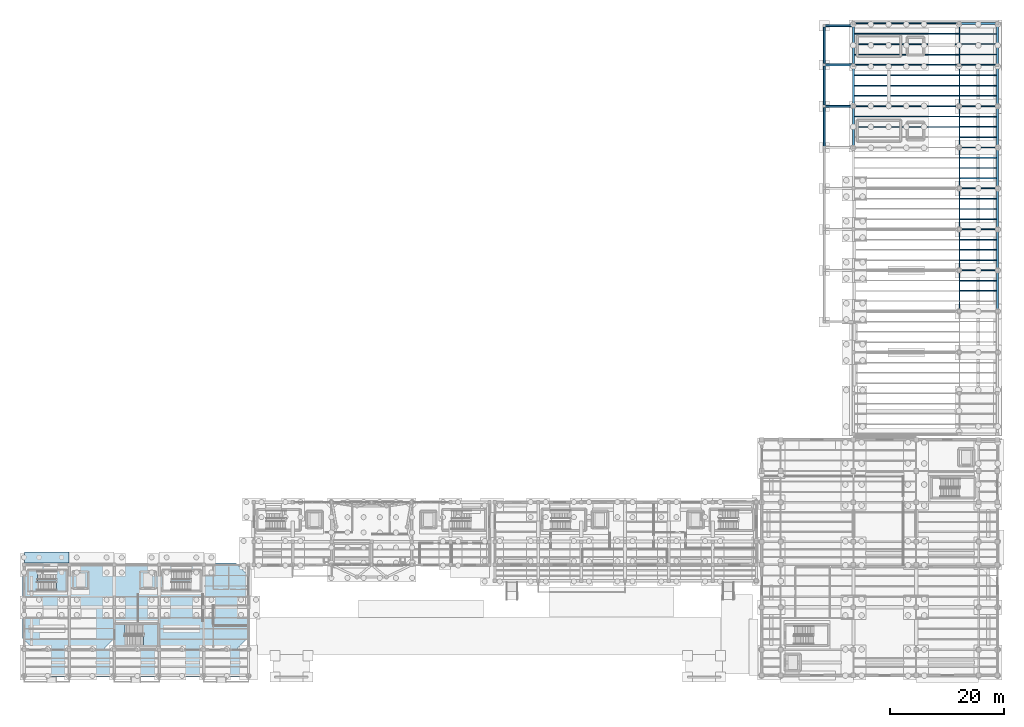
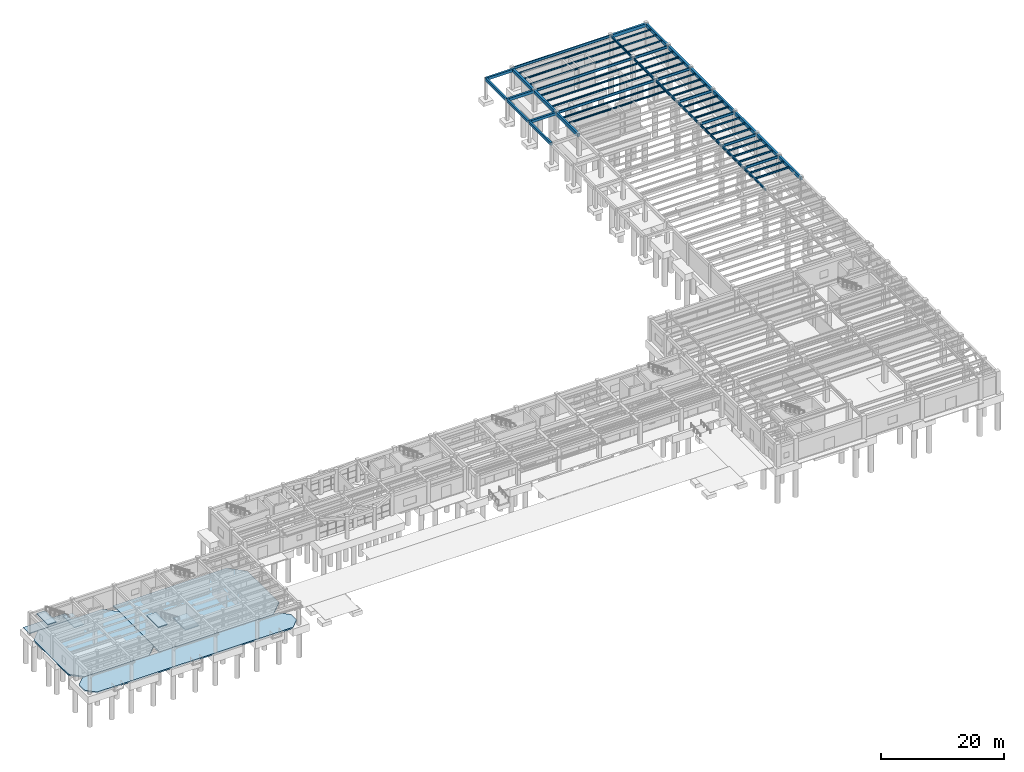
# One storey, part 17 of 41: 61 beams, 8 slabs, 2 elements without a shape of their own.
"""IFC4 building model written with IfcOpenShell, lengths in metres."""

from ifc_helpers import new_model, si_unit, direction, frame, origin, origin_2d, place, context, subcontext, project, spatial, polyline, rectangle, i_section, outline, extrude, material, layer, layer_set, material_profile, profile_set, type_object, element, aggregate, save


model = new_model("IFC4")

# Units and contexts
model_context = context("Model", 3, precision=1e-05, world=origin(), true_north=direction((0.0, 1.0)))
body_context = subcontext(model_context, "Body", "Model", "MODEL_VIEW")
ifc_project = project(units=[si_unit("LENGTHUNIT", "METRE"), si_unit("AREAUNIT", "SQUARE_METRE"), si_unit("VOLUMEUNIT", "CUBIC_METRE"), si_unit("PLANEANGLEUNIT", "RADIAN"), si_unit("MASSUNIT", "GRAM", prefix="KILO")], contexts=[model_context])

# Site, building, storey
site_placement = place(None, origin())
site = spatial("IfcSite", under=ifc_project, at=site_placement, CompositionType="ELEMENT")
building_placement = place(site_placement, origin())
building = spatial("IfcBuilding", under=site, at=building_placement, Name="Candilejo Ridge Gondola Terminal", CompositionType="ELEMENT")
storey_placement = place(building_placement, origin())
storey = spatial("IfcBuildingStorey", under=building, at=storey_placement, Name="L00", CompositionType="ELEMENT", Elevation=0.0)

# Beams
ifc_material_1 = material(Name="Concrete f'c 35 MPa (C35/45)", Category="concrete")
ifc_material_profile_1 = material_profile(ifc_material_1, rectangle(XDim=0.35009765625, YDim=0.550048828125, at=origin_2d()))
ifc_profile_set_1 = profile_set([ifc_material_profile_1], Name="Concrete f'c 35 MPa (C35/45)")
beam_type_1 = type_object("IfcBeamType", Name="STR-BM-RC350X550", PredefinedType="BEAM", material=ifc_profile_set_1)
for number, where, z_axis, x_axis, name in (
    (1, (144.85009765625, 106.300048828125, 3.965087890625), (1.0, 0.0, 0.0), (0.0, 1.0, 0.0), "Bench ledge transverse beam 06"),
    (2, (144.85009765625, 113.550048828125, 3.965087890625), (1.0, 0.0, 0.0), (0.0, 1.0, 0.0), "Bench ledge transverse beam 07"),
    (3, (144.85009765625, 120.449951171875, 3.965087890625), (1.0, 0.0, 0.0), (0.0, 1.0, 0.0), "Bench ledge transverse beam 08"),
):
    element("IfcBeam", number, at=place(storey_placement, frame(where, z_axis=z_axis, x_axis=x_axis)), inside=storey, type_object=beam_type_1, Name=name, PredefinedType="BEAM", context=body_context, shape_type="SweptSolid", body=[
        extrude(rectangle(XDim=0.35009765625, YDim=0.550048828125, at=origin_2d()), origin(), (0.0, 0.0, 1.0), 5.14990234375),
    ])
for number, where, z_axis, x_axis, name in (
    (4, (144.85009765625, 99.050048828125, 3.965087890625), (0.0, 1.0, 0.0), (-1.0, 0.0, 0.0), "Bench ledge perimeter beam 05"),
    (5, (144.85009765625, 106.300048828125, 3.965087890625), (0.0, 1.0, 0.0), (-1.0, 0.0, 0.0), "Bench ledge perimeter beam 06"),
):
    element("IfcBeam", number, at=place(storey_placement, frame(where, z_axis=z_axis, x_axis=x_axis)), inside=storey, type_object=beam_type_1, Name=name, PredefinedType="BEAM", context=body_context, shape_type="SweptSolid", body=[
        extrude(rectangle(XDim=0.35009765625, YDim=0.550048828125, at=origin_2d()), origin(), (0.0, 0.0, 1.0), 7.25),
    ])
beam_1_placement = place(storey_placement, frame((144.85009765625, 113.550048828125, 3.965087890625), z_axis=(0.0, 1.0, 0.0), x_axis=(-1.0, 0.0, 0.0)))
element("IfcBeam", 6, at=beam_1_placement, inside=storey, type_object=beam_type_1, Name="Bench ledge perimeter beam 07", PredefinedType="BEAM", context=body_context, shape_type="SweptSolid", body=[
    extrude(rectangle(XDim=0.35009765625, YDim=0.550048828125, at=origin_2d()), origin(), (0.0, 0.0, 1.0), 6.89990234375),
])
ifc_material_2 = material(Name="Steel ASTM A992 Grade 50", Category="steel")
ifc_material_profile_2 = material_profile(ifc_material_2, i_section(OverallWidth=0.194091796875, OverallDepth=0.468994140625, WebThickness=0.0126953125, FlangeThickness=0.0205078125, at=origin_2d()))
ifc_profile_set_2 = profile_set([ifc_material_profile_2], Name="Steel ASTM A992 Grade 50")
beam_type_2 = type_object("IfcBeamType", Name="STR-BM-W460X106", PredefinedType="BEAM", material=ifc_profile_set_2)
for number, where, z_axis, x_axis, name in (
    (7, (168.60009765625, 70.25, 3.99560546875), (0.0, 1.0, 0.0), (-1.0, 0.0, 0.0), "Beam Y V5 L00 Y13-Y14@X25"),
    (8, (168.60009765625, 77.449951171875, 3.99560546875), (0.0, 1.0, 0.0), (-1.0, 0.0, 0.0), "Beam Y V5 L00 Y14-Y15@X25"),
):
    element("IfcBeam", number, at=place(storey_placement, frame(where, z_axis=z_axis, x_axis=x_axis)), inside=storey, type_object=beam_type_2, Name=name, PredefinedType="BEAM", context=body_context, shape_type="SweptSolid", body=[
        extrude(i_section(OverallWidth=0.194091796875, OverallDepth=0.468994140625, WebThickness=0.0126953125, FlangeThickness=0.0205078125, at=origin_2d()), origin(), (0.0, 0.0, 1.0), 7.199951171875),
    ])
beam_2_placement = place(storey_placement, frame((168.60009765625, 84.64990234375, 3.99560546875), z_axis=(0.0, 1.0, 0.0), x_axis=(-1.0, 0.0, 0.0)))
element("IfcBeam", 9, at=beam_2_placement, inside=storey, type_object=beam_type_2, Name="Beam Y V5 L00 Y15-Y16@X25", PredefinedType="BEAM", context=body_context, shape_type="SweptSolid", body=[
    extrude(i_section(OverallWidth=0.194091796875, OverallDepth=0.468994140625, WebThickness=0.0126953125, FlangeThickness=0.0205078125, at=origin_2d()), origin(), (0.0, 0.0, 1.0), 7.2001953125),
])
beam_3_placement = place(storey_placement, frame((168.60009765625, 91.85009765625, 3.99560546875), z_axis=(0.0, 1.0, 0.0), x_axis=(-1.0, 0.0, 0.0)))
element("IfcBeam", 10, at=beam_3_placement, inside=storey, type_object=beam_type_2, Name="Beam Y V5 L00 Y16-Y17@X25", PredefinedType="BEAM", context=body_context, shape_type="SweptSolid", body=[
    extrude(i_section(OverallWidth=0.194091796875, OverallDepth=0.468994140625, WebThickness=0.0126953125, FlangeThickness=0.0205078125, at=origin_2d()), origin(), (0.0, 0.0, 1.0), 7.199951171875),
])
for number, where, z_axis, x_axis, name in (
    (11, (168.60009765625, 99.050048828125, 3.99560546875), (0.0, 1.0, 0.0), (-1.0, 0.0, 0.0), "Beam Y V5 L00 Y17-Y18@X25"),
    (12, (168.60009765625, 106.300048828125, 3.99560546875), (0.0, 1.0, 0.0), (-1.0, 0.0, 0.0), "Beam Y V5 L00 Y18-Y19@X25"),
):
    element("IfcBeam", number, at=place(storey_placement, frame(where, z_axis=z_axis, x_axis=x_axis)), inside=storey, type_object=beam_type_2, Name=name, PredefinedType="BEAM", context=body_context, shape_type="SweptSolid", body=[
        extrude(i_section(OverallWidth=0.194091796875, OverallDepth=0.468994140625, WebThickness=0.0126953125, FlangeThickness=0.0205078125, at=origin_2d()), origin(), (0.0, 0.0, 1.0), 7.25),
    ])
beam_4_placement = place(storey_placement, frame((168.60009765625, 113.550048828125, 3.99560546875), z_axis=(0.0, 1.0, 0.0), x_axis=(-1.0, 0.0, 0.0)))
element("IfcBeam", 13, at=beam_4_placement, inside=storey, type_object=beam_type_2, Name="Beam Y V5 L00 Y19-Y20@X25", PredefinedType="BEAM", context=body_context, shape_type="SweptSolid", body=[
    extrude(i_section(OverallWidth=0.194091796875, OverallDepth=0.468994140625, WebThickness=0.0126953125, FlangeThickness=0.0205078125, at=origin_2d()), origin(), (0.0, 0.0, 1.0), 7.300048828125),
])
ifc_material_3 = material(Name="Steel ASTM A992 Grade 50", Category="steel")
ifc_material_profile_3 = material_profile(ifc_material_3, i_section(OverallWidth=0.166015625, OverallDepth=0.529052734375, WebThickness=0.009765625, FlangeThickness=0.013671875, at=origin_2d()))
ifc_profile_set_3 = profile_set([ifc_material_profile_3], Name="Steel ASTM A992 Grade 50")
beam_type_3 = type_object("IfcBeamType", Name="STR-BM-W530X74", PredefinedType="BEAM", material=ifc_profile_set_3)
for number, where, z_axis, x_axis, name in (
    (14, (168.60009765625, 77.449951171875, 3.965576171875), (1.0, 0.0, 0.0), (0.0, 1.0, 0.0), "Beam X V5 L00 X25-X27@Y14"),
    (15, (168.60009765625, 84.64990234375, 3.965576171875), (1.0, 0.0, 0.0), (0.0, 1.0, 0.0), "Beam X V5 L00 X25-X27@Y15"),
    (16, (168.60009765625, 91.85009765625, 3.965576171875), (1.0, 0.0, 0.0), (0.0, 1.0, 0.0), "Beam X V5 L00 X25-X27@Y16"),
    (17, (168.60009765625, 99.050048828125, 3.965576171875), (1.0, 0.0, 0.0), (0.0, 1.0, 0.0), "Beam X V5 L00 X25-X27@Y17"),
):
    element("IfcBeam", number, at=place(storey_placement, frame(where, z_axis=z_axis, x_axis=x_axis)), inside=storey, type_object=beam_type_3, Name=name, PredefinedType="BEAM", context=body_context, shape_type="SweptSolid", body=[
        extrude(i_section(OverallWidth=0.166015625, OverallDepth=0.529052734375, WebThickness=0.009765625, FlangeThickness=0.013671875, at=origin_2d()), origin(), (0.0, 0.0, 1.0), 6.699951171875),
    ])
beam_5_placement = place(storey_placement, frame((150.0, 106.300048828125, 3.965576171875), z_axis=(1.0, 0.0, 0.0), x_axis=(0.0, 1.0, 0.0)))
element("IfcBeam", 18, at=beam_5_placement, inside=storey, type_object=beam_type_3, Name="Beam X V5 L00 X23-X25@Y18", PredefinedType="BEAM", context=body_context, shape_type="SweptSolid", body=[
    extrude(i_section(OverallWidth=0.166015625, OverallDepth=0.529052734375, WebThickness=0.009765625, FlangeThickness=0.013671875, at=origin_2d()), origin(), (0.0, 0.0, 1.0), 18.60009765625),
])
beam_6_placement = place(storey_placement, frame((168.60009765625, 106.300048828125, 3.965576171875), z_axis=(1.0, 0.0, 0.0), x_axis=(0.0, 1.0, 0.0)))
element("IfcBeam", 19, at=beam_6_placement, inside=storey, type_object=beam_type_3, Name="Beam X V5 L00 X25-X27@Y18", PredefinedType="BEAM", context=body_context, shape_type="SweptSolid", body=[
    extrude(i_section(OverallWidth=0.166015625, OverallDepth=0.529052734375, WebThickness=0.009765625, FlangeThickness=0.013671875, at=origin_2d()), origin(), (0.0, 0.0, 1.0), 6.699951171875),
])
beam_7_placement = place(storey_placement, frame((150.0, 113.550048828125, 3.965576171875), z_axis=(1.0, 0.0, 0.0), x_axis=(0.0, 1.0, 0.0)))
element("IfcBeam", 20, at=beam_7_placement, inside=storey, type_object=beam_type_3, Name="Beam X V5 L00 X23-X25@Y19", PredefinedType="BEAM", context=body_context, shape_type="SweptSolid", body=[
    extrude(i_section(OverallWidth=0.166015625, OverallDepth=0.529052734375, WebThickness=0.009765625, FlangeThickness=0.013671875, at=origin_2d()), origin(), (0.0, 0.0, 1.0), 18.60009765625),
])
beam_8_placement = place(storey_placement, frame((168.60009765625, 113.550048828125, 3.965576171875), z_axis=(1.0, 0.0, 0.0), x_axis=(0.0, 1.0, 0.0)))
element("IfcBeam", 21, at=beam_8_placement, inside=storey, type_object=beam_type_3, Name="Beam X V5 L00 X25-X27@Y19", PredefinedType="BEAM", context=body_context, shape_type="SweptSolid", body=[
    extrude(i_section(OverallWidth=0.166015625, OverallDepth=0.529052734375, WebThickness=0.009765625, FlangeThickness=0.013671875, at=origin_2d()), origin(), (0.0, 0.0, 1.0), 6.699951171875),
])
beam_9_placement = place(storey_placement, frame((150.0, 120.85009765625, 3.965576171875), z_axis=(1.0, 0.0, 0.0), x_axis=(0.0, 1.0, 0.0)))
element("IfcBeam", 22, at=beam_9_placement, inside=storey, type_object=beam_type_3, Name="Beam X V5 L00 X23-X25@Y20", PredefinedType="BEAM", context=body_context, shape_type="SweptSolid", body=[
    extrude(i_section(OverallWidth=0.166015625, OverallDepth=0.529052734375, WebThickness=0.009765625, FlangeThickness=0.013671875, at=origin_2d()), origin(), (0.0, 0.0, 1.0), 18.60009765625),
])
ifc_material_4 = material(Name="Steel ASTM A992 Grade 50", Category="steel")
ifc_material_profile_4 = material_profile(ifc_material_4, i_section(OverallWidth=0.10205078125, OverallDepth=0.31298828125, WebThickness=0.006591796875, FlangeThickness=0.0107421875, at=origin_2d()))
ifc_profile_set_4 = profile_set([ifc_material_profile_4], Name="Steel ASTM A992 Grade 50")
beam_type_4 = type_object("IfcBeamType", Name="STR-JST-W310X33", PredefinedType="JOIST", material=ifc_profile_set_4)
for number, where, z_axis, x_axis, name in (
    (23, (168.697021484375, 115.375, 4.073486328125), (1.0, 0.0, 0.0), (0.0, 1.0, 0.0), "Composite joist V5 L00-1146"),
    (24, (168.697021484375, 117.199951171875, 4.073486328125), (1.0, 0.0, 0.0), (0.0, 1.0, 0.0), "Composite joist V5 L00-1147"),
    (25, (168.697021484375, 119.02490234375, 4.073486328125), (1.0, 0.0, 0.0), (0.0, 1.0, 0.0), "Composite joist V5 L00-1148"),
):
    element("IfcBeam", number, at=place(storey_placement, frame(where, z_axis=z_axis, x_axis=x_axis)), inside=storey, type_object=beam_type_4, Name=name, PredefinedType="JOIST", context=body_context, shape_type="SweptSolid", body=[
        extrude(i_section(OverallWidth=0.10205078125, OverallDepth=0.31298828125, WebThickness=0.006591796875, FlangeThickness=0.0107421875, at=origin_2d()), origin(), (0.0, 0.0, 1.0), 6.403076171875),
    ])
ifc_material_5 = material(Name="Steel ASTM A992 Grade 50", Category="steel")
ifc_material_profile_5 = material_profile(ifc_material_5, i_section(OverallWidth=0.1650390625, OverallDepth=0.31005859375, WebThickness=0.005859375, FlangeThickness=0.009765625, at=origin_2d()))
ifc_profile_set_5 = profile_set([ifc_material_profile_5], Name="Steel ASTM A992 Grade 50")
beam_type_5 = type_object("IfcBeamType", Name="STR-JST-W310X39", PredefinedType="JOIST", material=ifc_profile_set_5)
for number, where, z_axis, x_axis, name in (
    (26, (150.199951171875, 115.375, 4.074951171875), (1.0, 0.0, 0.0), (0.0, 1.0, 0.0), "Composite joist V5 L00-1116"),
    (27, (150.199951171875, 117.199951171875, 4.074951171875), (1.0, 0.0, 0.0), (0.0, 1.0, 0.0), "Composite joist V5 L00-1117"),
    (28, (150.199951171875, 119.02490234375, 4.074951171875), (1.0, 0.0, 0.0), (0.0, 1.0, 0.0), "Composite joist V5 L00-1118"),
):
    element("IfcBeam", number, at=place(storey_placement, frame(where, z_axis=z_axis, x_axis=x_axis)), inside=storey, type_object=beam_type_5, Name=name, PredefinedType="JOIST", context=body_context, shape_type="SweptSolid", body=[
        extrude(i_section(OverallWidth=0.1650390625, OverallDepth=0.31005859375, WebThickness=0.005859375, FlangeThickness=0.009765625, at=origin_2d()), origin(), (0.0, 0.0, 1.0), 18.302978515625),
    ])
for number, where, z_axis, x_axis, name in (
    (29, (168.697021484375, 108.112548828125, 4.074951171875), (1.0, 0.0, 0.0), (0.0, 1.0, 0.0), "Composite joist V5 L00-1143"),
    (30, (168.697021484375, 109.925048828125, 4.074951171875), (1.0, 0.0, 0.0), (0.0, 1.0, 0.0), "Composite joist V5 L00-1144"),
    (31, (168.697021484375, 111.737548828125, 4.074951171875), (1.0, 0.0, 0.0), (0.0, 1.0, 0.0), "Composite joist V5 L00-1145"),
):
    element("IfcBeam", number, at=place(storey_placement, frame(where, z_axis=z_axis, x_axis=x_axis)), inside=storey, type_object=beam_type_5, Name=name, PredefinedType="JOIST", context=body_context, shape_type="SweptSolid", body=[
        extrude(i_section(OverallWidth=0.1650390625, OverallDepth=0.31005859375, WebThickness=0.005859375, FlangeThickness=0.009765625, at=origin_2d()), origin(), (0.0, 0.0, 1.0), 6.403076171875),
    ])
ifc_material_6 = material(Name="Steel ASTM A992 Grade 50", Category="steel")
ifc_material_profile_6 = material_profile(ifc_material_6, i_section(OverallWidth=0.166015625, OverallDepth=0.31298828125, WebThickness=0.006591796875, FlangeThickness=0.01123046875, at=origin_2d()))
ifc_profile_set_6 = profile_set([ifc_material_profile_6], Name="Steel ASTM A992 Grade 50")
beam_type_6 = type_object("IfcBeamType", Name="STR-JST-W310X44", PredefinedType="JOIST", material=ifc_profile_set_6)
for number, where, z_axis, x_axis, name in (
    (32, (150.199951171875, 108.112548828125, 4.073486328125), (1.0, 0.0, 0.0), (0.0, 1.0, 0.0), "Composite joist V5 L00-1113"),
    (33, (150.199951171875, 109.925048828125, 4.073486328125), (1.0, 0.0, 0.0), (0.0, 1.0, 0.0), "Composite joist V5 L00-1114"),
    (34, (150.199951171875, 111.737548828125, 4.073486328125), (1.0, 0.0, 0.0), (0.0, 1.0, 0.0), "Composite joist V5 L00-1115"),
):
    element("IfcBeam", number, at=place(storey_placement, frame(where, z_axis=z_axis, x_axis=x_axis)), inside=storey, type_object=beam_type_6, Name=name, PredefinedType="JOIST", context=body_context, shape_type="SweptSolid", body=[
        extrude(i_section(OverallWidth=0.166015625, OverallDepth=0.31298828125, WebThickness=0.006591796875, FlangeThickness=0.01123046875, at=origin_2d()), origin(), (0.0, 0.0, 1.0), 18.302978515625),
    ])
for number, where, z_axis, x_axis, name in (
    (35, (168.697021484375, 100.862548828125, 4.073486328125), (1.0, 0.0, 0.0), (0.0, 1.0, 0.0), "Composite joist V5 L00-1140"),
    (36, (168.697021484375, 102.675048828125, 4.073486328125), (1.0, 0.0, 0.0), (0.0, 1.0, 0.0), "Composite joist V5 L00-1141"),
    (37, (168.697021484375, 104.487548828125, 4.073486328125), (1.0, 0.0, 0.0), (0.0, 1.0, 0.0), "Composite joist V5 L00-1142"),
):
    element("IfcBeam", number, at=place(storey_placement, frame(where, z_axis=z_axis, x_axis=x_axis)), inside=storey, type_object=beam_type_6, Name=name, PredefinedType="JOIST", context=body_context, shape_type="SweptSolid", body=[
        extrude(i_section(OverallWidth=0.166015625, OverallDepth=0.31298828125, WebThickness=0.006591796875, FlangeThickness=0.01123046875, at=origin_2d()), origin(), (0.0, 0.0, 1.0), 6.403076171875),
    ])
ifc_material_7 = material(Name="Steel ASTM A992 Grade 50", Category="steel")
ifc_material_profile_7 = material_profile(ifc_material_7, i_section(OverallWidth=0.202880859375, OverallDepth=0.302978515625, WebThickness=0.007568359375, FlangeThickness=0.01318359375, at=origin_2d()))
ifc_profile_set_7 = profile_set([ifc_material_profile_7], Name="Steel ASTM A992 Grade 50")
beam_type_7 = type_object("IfcBeamType", Name="STR-JST-W310X60", PredefinedType="JOIST", material=ifc_profile_set_7)
for number, where, z_axis, x_axis, name in (
    (38, (150.199951171875, 102.675048828125, 4.07861328125), (1.0, 0.0, 0.0), (0.0, 1.0, 0.0), "Composite joist V5 L00-1111"),
    (39, (150.199951171875, 104.487548828125, 4.07861328125), (1.0, 0.0, 0.0), (0.0, 1.0, 0.0), "Composite joist V5 L00-1112"),
):
    element("IfcBeam", number, at=place(storey_placement, frame(where, z_axis=z_axis, x_axis=x_axis)), inside=storey, type_object=beam_type_7, Name=name, PredefinedType="JOIST", context=body_context, shape_type="SweptSolid", body=[
        extrude(i_section(OverallWidth=0.202880859375, OverallDepth=0.302978515625, WebThickness=0.007568359375, FlangeThickness=0.01318359375, at=origin_2d()), origin(), (0.0, 0.0, 1.0), 18.302978515625),
    ])
for number, where, z_axis, x_axis, name in (
    (40, (168.697021484375, 93.64990234375, 4.07861328125), (1.0, 0.0, 0.0), (0.0, 1.0, 0.0), "Composite joist V5 L00-1137"),
    (41, (168.697021484375, 95.449951171875, 4.07861328125), (1.0, 0.0, 0.0), (0.0, 1.0, 0.0), "Composite joist V5 L00-1138"),
    (42, (168.697021484375, 97.25, 4.07861328125), (1.0, 0.0, 0.0), (0.0, 1.0, 0.0), "Composite joist V5 L00-1139"),
):
    element("IfcBeam", number, at=place(storey_placement, frame(where, z_axis=z_axis, x_axis=x_axis)), inside=storey, type_object=beam_type_7, Name=name, PredefinedType="JOIST", context=body_context, shape_type="SweptSolid", body=[
        extrude(i_section(OverallWidth=0.202880859375, OverallDepth=0.302978515625, WebThickness=0.007568359375, FlangeThickness=0.01318359375, at=origin_2d()), origin(), (0.0, 0.0, 1.0), 6.403076171875),
    ])
ifc_material_8 = material(Name="Steel ASTM A992 Grade 50", Category="steel")
ifc_material_profile_8 = material_profile(ifc_material_8, i_section(OverallWidth=0.1279296875, OverallDepth=0.35302734375, WebThickness=0.006591796875, FlangeThickness=0.0107421875, at=origin_2d()))
ifc_profile_set_8 = profile_set([ifc_material_profile_8], Name="Steel ASTM A992 Grade 50")
beam_type_8 = type_object("IfcBeamType", Name="STR-JST-W360X39", PredefinedType="JOIST", material=ifc_profile_set_8)
for number, where, z_axis, x_axis, name in (
    (43, (168.697021484375, 86.449951171875, 4.053466796875), (1.0, 0.0, 0.0), (0.0, 1.0, 0.0), "Composite joist V5 L00-1134"),
    (44, (168.697021484375, 88.25, 4.053466796875), (1.0, 0.0, 0.0), (0.0, 1.0, 0.0), "Composite joist V5 L00-1135"),
    (45, (168.697021484375, 90.050048828125, 4.053466796875), (1.0, 0.0, 0.0), (0.0, 1.0, 0.0), "Composite joist V5 L00-1136"),
):
    element("IfcBeam", number, at=place(storey_placement, frame(where, z_axis=z_axis, x_axis=x_axis)), inside=storey, type_object=beam_type_8, Name=name, PredefinedType="JOIST", context=body_context, shape_type="SweptSolid", body=[
        extrude(i_section(OverallWidth=0.1279296875, OverallDepth=0.35302734375, WebThickness=0.006591796875, FlangeThickness=0.0107421875, at=origin_2d()), origin(), (0.0, 0.0, 1.0), 6.403076171875),
    ])
ifc_material_9 = material(Name="Steel ASTM A992 Grade 50", Category="steel")
ifc_material_profile_9 = material_profile(ifc_material_9, i_section(OverallWidth=0.1708984375, OverallDepth=0.35205078125, WebThickness=0.0068359375, FlangeThickness=0.009765625, at=origin_2d()))
ifc_profile_set_9 = profile_set([ifc_material_profile_9], Name="Steel ASTM A992 Grade 50")
beam_type_9 = type_object("IfcBeamType", Name="STR-JST-W360X44", PredefinedType="JOIST", material=ifc_profile_set_9)
for number, where, z_axis, x_axis, name in (
    (46, (168.697021484375, 79.25, 4.053955078125), (1.0, 0.0, 0.0), (0.0, 1.0, 0.0), "Composite joist V5 L00-1131"),
    (47, (168.697021484375, 81.050048828125, 4.053955078125), (1.0, 0.0, 0.0), (0.0, 1.0, 0.0), "Composite joist V5 L00-1132"),
    (48, (168.697021484375, 82.85009765625, 4.053955078125), (1.0, 0.0, 0.0), (0.0, 1.0, 0.0), "Composite joist V5 L00-1133"),
):
    element("IfcBeam", number, at=place(storey_placement, frame(where, z_axis=z_axis, x_axis=x_axis)), inside=storey, type_object=beam_type_9, Name=name, PredefinedType="JOIST", context=body_context, shape_type="SweptSolid", body=[
        extrude(i_section(OverallWidth=0.1708984375, OverallDepth=0.35205078125, WebThickness=0.0068359375, FlangeThickness=0.009765625, at=origin_2d()), origin(), (0.0, 0.0, 1.0), 6.403076171875),
    ])
ifc_material_10 = material(Name="Steel ASTM A992 Grade 50", Category="steel")
ifc_material_profile_10 = material_profile(ifc_material_10, i_section(OverallWidth=0.1708984375, OverallDepth=0.35498046875, WebThickness=0.007080078125, FlangeThickness=0.01171875, at=origin_2d()))
ifc_profile_set_10 = profile_set([ifc_material_profile_10], Name="Steel ASTM A992 Grade 50")
beam_type_10 = type_object("IfcBeamType", Name="STR-JST-W360X51", PredefinedType="JOIST", material=ifc_profile_set_10)
for number, where, z_axis, x_axis, name in (
    (49, (168.697021484375, 73.85009765625, 4.052490234375), (1.0, 0.0, 0.0), (0.0, 1.0, 0.0), "Composite joist V5 L00-1129"),
    (50, (168.697021484375, 75.64990234375, 4.052490234375), (1.0, 0.0, 0.0), (0.0, 1.0, 0.0), "Composite joist V5 L00-1130"),
):
    element("IfcBeam", number, at=place(storey_placement, frame(where, z_axis=z_axis, x_axis=x_axis)), inside=storey, type_object=beam_type_10, Name=name, PredefinedType="JOIST", context=body_context, shape_type="SweptSolid", body=[
        extrude(i_section(OverallWidth=0.1708984375, OverallDepth=0.35498046875, WebThickness=0.007080078125, FlangeThickness=0.01171875, at=origin_2d()), origin(), (0.0, 0.0, 1.0), 6.403076171875),
    ])
ifc_material_11 = material(Name="Concrete f'c 35 MPa (C35/45)", Category="concrete")
ifc_material_profile_11 = material_profile(ifc_material_11, rectangle(XDim=0.39990234375, YDim=0.64990234375, at=origin_2d()))
ifc_profile_set_11 = profile_set([ifc_material_profile_11], Name="Concrete f'c 35 MPa (C35/45)")
beam_type_11 = type_object("IfcBeamType", Name="STR-SPN-RC400X650", PredefinedType="SPANDREL", material=ifc_profile_set_11)
beam_10_placement = place(storey_placement, frame((168.60009765625, 120.85009765625, 3.905029296875), z_axis=(1.0, 0.0, 0.0), x_axis=(0.0, 1.0, 0.0)))
element("IfcBeam", 51, at=beam_10_placement, inside=storey, type_object=beam_type_11, Name="Beam X V5 L00 X25-X27@Y20", PredefinedType="SPANDREL", context=body_context, shape_type="SweptSolid", body=[
    extrude(rectangle(XDim=0.39990234375, YDim=0.64990234375, at=origin_2d()), origin(), (0.0, 0.0, 1.0), 6.699951171875),
])
for number, where, z_axis, x_axis, name in (
    (52, (150.0, 99.050048828125, 3.905029296875), (0.0, 1.0, 0.0), (-1.0, 0.0, 0.0), "Beam Y V5 L00 Y17-Y18@X23"),
    (53, (150.0, 106.300048828125, 3.905029296875), (0.0, 1.0, 0.0), (-1.0, 0.0, 0.0), "Beam Y V5 L00 Y18-Y19@X23"),
):
    element("IfcBeam", number, at=place(storey_placement, frame(where, z_axis=z_axis, x_axis=x_axis)), inside=storey, type_object=beam_type_11, Name=name, PredefinedType="SPANDREL", context=body_context, shape_type="SweptSolid", body=[
        extrude(rectangle(XDim=0.39990234375, YDim=0.64990234375, at=origin_2d()), origin(), (0.0, 0.0, 1.0), 7.25),
    ])
beam_11_placement = place(storey_placement, frame((150.0, 113.550048828125, 3.905029296875), z_axis=(0.0, 1.0, 0.0), x_axis=(-1.0, 0.0, 0.0)))
element("IfcBeam", 54, at=beam_11_placement, inside=storey, type_object=beam_type_11, Name="Beam Y V5 L00 Y19-Y20@X23", PredefinedType="SPANDREL", context=body_context, shape_type="SweptSolid", body=[
    extrude(rectangle(XDim=0.39990234375, YDim=0.64990234375, at=origin_2d()), origin(), (0.0, 0.0, 1.0), 7.300048828125),
])
for number, where, z_axis, x_axis, name in (
    (55, (175.300048828125, 70.25, 3.905029296875), (0.0, 1.0, 0.0), (-1.0, 0.0, 0.0), "Beam Y V5 L00 Y13-Y14@X27"),
    (56, (175.300048828125, 77.449951171875, 3.905029296875), (0.0, 1.0, 0.0), (-1.0, 0.0, 0.0), "Beam Y V5 L00 Y14-Y15@X27"),
):
    element("IfcBeam", number, at=place(storey_placement, frame(where, z_axis=z_axis, x_axis=x_axis)), inside=storey, type_object=beam_type_11, Name=name, PredefinedType="SPANDREL", context=body_context, shape_type="SweptSolid", body=[
        extrude(rectangle(XDim=0.39990234375, YDim=0.64990234375, at=origin_2d()), origin(), (0.0, 0.0, 1.0), 7.199951171875),
    ])
beam_12_placement = place(storey_placement, frame((175.300048828125, 84.64990234375, 3.905029296875), z_axis=(0.0, 1.0, 0.0), x_axis=(-1.0, 0.0, 0.0)))
element("IfcBeam", 57, at=beam_12_placement, inside=storey, type_object=beam_type_11, Name="Beam Y V5 L00 Y15-Y16@X27", PredefinedType="SPANDREL", context=body_context, shape_type="SweptSolid", body=[
    extrude(rectangle(XDim=0.39990234375, YDim=0.64990234375, at=origin_2d()), origin(), (0.0, 0.0, 1.0), 7.2001953125),
])
beam_13_placement = place(storey_placement, frame((175.300048828125, 91.85009765625, 3.905029296875), z_axis=(0.0, 1.0, 0.0), x_axis=(-1.0, 0.0, 0.0)))
element("IfcBeam", 58, at=beam_13_placement, inside=storey, type_object=beam_type_11, Name="Beam Y V5 L00 Y16-Y17@X27", PredefinedType="SPANDREL", context=body_context, shape_type="SweptSolid", body=[
    extrude(rectangle(XDim=0.39990234375, YDim=0.64990234375, at=origin_2d()), origin(), (0.0, 0.0, 1.0), 7.199951171875),
])
for number, where, z_axis, x_axis, name in (
    (59, (175.300048828125, 99.050048828125, 3.905029296875), (0.0, 1.0, 0.0), (-1.0, 0.0, 0.0), "Beam Y V5 L00 Y17-Y18@X27"),
    (60, (175.300048828125, 106.300048828125, 3.905029296875), (0.0, 1.0, 0.0), (-1.0, 0.0, 0.0), "Beam Y V5 L00 Y18-Y19@X27"),
):
    element("IfcBeam", number, at=place(storey_placement, frame(where, z_axis=z_axis, x_axis=x_axis)), inside=storey, type_object=beam_type_11, Name=name, PredefinedType="SPANDREL", context=body_context, shape_type="SweptSolid", body=[
        extrude(rectangle(XDim=0.39990234375, YDim=0.64990234375, at=origin_2d()), origin(), (0.0, 0.0, 1.0), 7.25),
    ])
beam_14_placement = place(storey_placement, frame((175.300048828125, 113.550048828125, 3.905029296875), z_axis=(0.0, 1.0, 0.0), x_axis=(-1.0, 0.0, 0.0)))
element("IfcBeam", 61, at=beam_14_placement, inside=storey, type_object=beam_type_11, Name="Beam Y V5 L00 Y19-Y20@X27", PredefinedType="SPANDREL", context=body_context, shape_type="SweptSolid", body=[
    extrude(rectangle(XDim=0.39990234375, YDim=0.64990234375, at=origin_2d()), origin(), (0.0, 0.0, 1.0), 7.300048828125),
])

# Slabs
ifc_material_12 = material(Name="Concrete f'c 28 MPa (C28/35)", Category="concrete")
ifc_layer_1 = layer(ifc_material_12, 0.14990234375)
ifc_layer_set_1 = layer_set([ifc_layer_1], Name="CIV-EXT-PAVING-150")
slab_type_1 = type_object("IfcSlabType", Name="CIV-EXT-PAVING-150", PredefinedType="USERDEFINED", material=ifc_layer_set_1)
slab_1_placement = place(storey_placement, frame((0.0, 0.0, -0.14990234375)))
element("IfcSlab", 62, at=slab_1_placement, inside=storey, type_object=slab_type_1, Name="Exterior threshold paving PAD-V1-NW", ObjectType="PAVING", PredefinedType="USERDEFINED", context=body_context, shape_type="SweptSolid", body=[
    extrude(outline(polyline([(4.300048828125, 26.0), (12.199951171875, 26.0), (12.199951171875, 28.0), (4.300048828125, 28.0), (4.300048828125, 26.0)])), origin(), (0.0, 0.0, 1.0), 0.14990234375),
])
ifc_material_13 = material(Name="Concrete f'c 28 MPa (C28/35)", Category="concrete")
ifc_layer_2 = layer(ifc_material_13, 0.260009765625)
ifc_layer_set_2 = layer_set([ifc_layer_2], Name="STR-ARCADE-SLAB-260")
slab_type_2 = type_object("IfcSlabType", Name="STR-ARCADE-SLAB-260", PredefinedType="BASESLAB", material=ifc_layer_set_2)
slab_2_placement = place(storey_placement, frame((0.0, 0.0, -0.260009765625)))
element("IfcSlab", 63, at=slab_2_placement, inside=storey, type_object=slab_type_2, Name="Slab SLB-V1-L00-SOP", PredefinedType="BASESLAB", context=body_context, shape_type="SweptSolid", body=[
    extrude(outline(polyline([(5.535888671875, 6.0), (42.464111328125, 6.0), (44.0, 7.535888671875), (44.0, 9.263916015625), (42.464111328125, 10.800048828125), (5.535888671875, 10.800048828125), (4.0, 9.263916015625), (4.0, 7.535888671875), (5.535888671875, 6.0)])), origin(), (0.0, 0.0, 1.0), 0.260009765625),
])
ifc_material_14 = material(Name="Concrete f'c 28 MPa (C28/35)", Category="concrete")
ifc_layer_3 = layer(ifc_material_14, 0.27001953125)
ifc_layer_set_3 = layer_set([ifc_layer_3], Name="STR-BASE-SLAB-270")
slab_type_3 = type_object("IfcSlabType", Name="STR-BASE-SLAB-270", PredefinedType="BASESLAB", material=ifc_layer_set_3)
slab_3_placement = place(storey_placement, frame((0.0, 0.0, -0.27001953125)))
element("IfcSlab", 64, at=slab_3_placement, inside=storey, type_object=slab_type_3, Name="Slab SLB-V1-L00-W", PredefinedType="BASESLAB", context=body_context, shape_type="SweptSolid", body=[
    extrude(outline(polyline([(5.978759765625, 10.800048828125), (18.12109375, 10.800048828125), (20.10009765625, 12.77880859375), (20.10009765625, 24.021240234375), (18.12109375, 26.0), (5.978759765625, 26.0), (4.0, 24.021240234375), (4.0, 12.77880859375), (5.978759765625, 10.800048828125)])), origin(), (0.0, 0.0, 1.0), 0.27001953125),
])
slab_4_placement = place(storey_placement, frame((0.0, 0.0, -0.27001953125)))
element("IfcSlab", 65, at=slab_4_placement, inside=storey, type_object=slab_type_3, Name="Slab SLB-V1-L00-E", PredefinedType="BASESLAB", context=body_context, shape_type="SweptSolid", body=[
    extrude(outline(polyline([(20.10009765625, 10.800048828125), (41.5, 10.800048828125), (44.0, 13.300048828125), (44.0, 23.5), (41.5, 26.0), (20.10009765625, 26.0), (20.10009765625, 10.800048828125)])), origin(), (0.0, 0.0, 1.0), 0.27001953125),
])

# Stair, slabs
ifc_material_15 = material(Name="Concrete f'c 35 MPa (C35/45)", Category="concrete")
stair_type_1 = type_object("IfcStairType", Name="STR-STAIR-1450-4500", PredefinedType="HALF_TURN_STAIR", material=ifc_material_15)
stair_1_placement = place(storey_placement, origin())
stair_1 = element("IfcStair", 66, at=stair_1_placement, inside=storey, type_object=stair_type_1, Name="Enclosed fire exit stair ST-V1A-L00", PredefinedType="HALF_TURN_STAIR")
ifc_material_16 = material(Name="Concrete f'c 35 MPa (C35/45)", Category="concrete")
ifc_layer_4 = layer(ifc_material_16, 0.199951171875)
ifc_layer_set_4 = layer_set([ifc_layer_4], Name="STR-STAIR-LANDING-200")
slab_type_4 = type_object("IfcSlabType", Name="STR-STAIR-LANDING-200", PredefinedType="LANDING", material=ifc_layer_set_4)
slab_5_placement = place(storey_placement, frame((0.0, 0.0, 2.050048828125)))
slab_5 = element("IfcSlab", 67, at=slab_5_placement, type_object=slab_type_4, Name="Stair half-landing ST-V1A-LND-01", PredefinedType="LANDING", context=body_context, shape_type="SweptSolid", body=[
    extrude(outline(polyline([(9.969970703125, 21.10009765625), (11.75, 21.10009765625), (11.75, 24.75), (9.969970703125, 24.75), (9.969970703125, 21.10009765625)])), origin(), (0.0, 0.0, 1.0), 0.199951171875),
])
slab_6_placement = place(storey_placement, frame((0.0, 0.0, 4.300048828125)))
slab_6 = element("IfcSlab", 68, at=slab_6_placement, type_object=slab_type_4, Name="Stair floor landing ST-V1A-L00-ARR-L01", PredefinedType="LANDING", context=body_context, shape_type="SweptSolid", body=[
    extrude(outline(polyline([(4.949951171875, 21.10009765625), (6.610107421875, 21.10009765625), (6.610107421875, 24.75), (4.949951171875, 24.75), (4.949951171875, 21.10009765625)])), origin(), (0.0, 0.0, 1.0), 0.199951171875),
])
aggregate(stair_1, [slab_5, slab_6])

ifc_material_17 = material(Name="Concrete f'c 35 MPa (C35/45)", Category="concrete")
stair_type_2 = type_object("IfcStairType", Name="STR-STAIR-PUB-1650", PredefinedType="HALF_TURN_STAIR", material=ifc_material_17)
stair_2_placement = place(storey_placement, origin())
stair_2 = element("IfcStair", 69, at=stair_2_placement, inside=storey, type_object=stair_type_2, Name="Public concourse stair ST-PUB-01 (L00)", PredefinedType="HALF_TURN_STAIR")
slab_7_placement = place(storey_placement, frame((0.0, 0.0, 2.050048828125)))
slab_7 = element("IfcSlab", 70, at=slab_7_placement, type_object=slab_type_4, Name="Public stair landing ST-P01-LND-01", PredefinedType="LANDING", context=body_context, shape_type="SweptSolid", body=[
    extrude(outline(polyline([(25.27001953125, 11.449951171875), (27.85009765625, 11.449951171875), (27.85009765625, 15.35009765625), (25.27001953125, 15.35009765625), (25.27001953125, 11.449951171875)])), origin(), (0.0, 0.0, 1.0), 0.199951171875),
])
slab_8_placement = place(storey_placement, frame((0.0, 0.0, 4.300048828125)))
slab_8 = element("IfcSlab", 71, at=slab_8_placement, type_object=slab_type_4, Name="Public stair arrival landing ST-P01-ARR-L01", PredefinedType="LANDING", context=body_context, shape_type="SweptSolid", body=[
    extrude(outline(polyline([(20.199951171875, 11.449951171875), (21.969970703125, 11.449951171875), (21.969970703125, 15.35009765625), (20.199951171875, 15.35009765625), (20.199951171875, 11.449951171875)])), origin(), (0.0, 0.0, 1.0), 0.199951171875),
])
aggregate(stair_2, [slab_7, slab_8])

save(model, "model.ifc")
